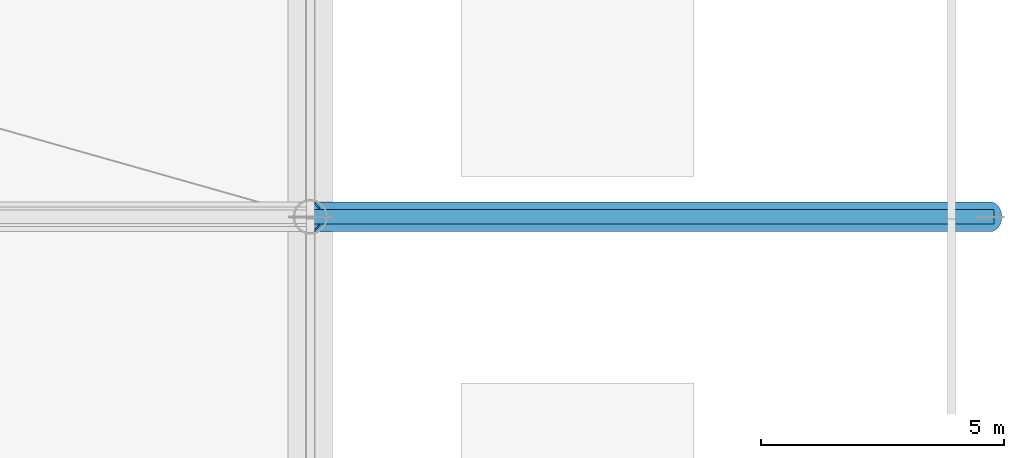
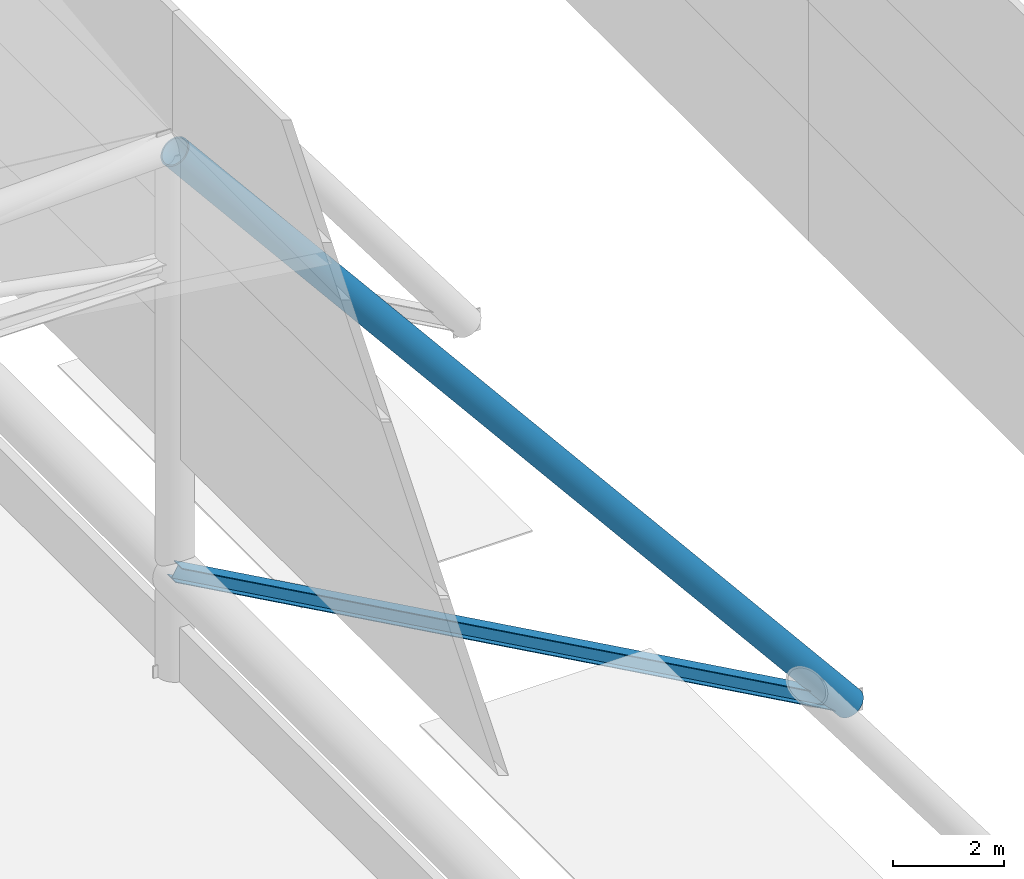
# One storey, part 44 of 113: 2 members.
"""IFC4 building model written with IfcOpenShell, lengths in metres."""

from ifc_helpers import new_model, si_unit, direction, frame, origin, origin_2d, place, context, subcontext, project, spatial, hollow_circle, i_section, extrude, material, material_profile, profile_set, type_object, element, save


model = new_model("IFC4")

# Units and contexts
model_context = context("Model", 3, precision=1e-05, world=origin(), true_north=direction((0.0, 1.0)))
body_context = subcontext(model_context, "Body", "Model", "MODEL_VIEW")
ifc_project = project(units=[si_unit("LENGTHUNIT", "METRE"), si_unit("AREAUNIT", "SQUARE_METRE"), si_unit("VOLUMEUNIT", "CUBIC_METRE"), si_unit("PLANEANGLEUNIT", "RADIAN"), si_unit("MASSUNIT", "GRAM", prefix="KILO")], contexts=[model_context])

# Site, building, storey
site_placement = place(None, origin())
site = spatial("IfcSite", under=ifc_project, at=site_placement, CompositionType="ELEMENT")
building_placement = place(site_placement, origin())
building = spatial("IfcBuilding", under=site, at=building_placement, Name="Linyun Crest Stadium", CompositionType="ELEMENT")
storey_placement = place(building_placement, frame((0.0, 0.0, 26.39990234375)))
storey = spatial("IfcBuildingStorey", under=building, at=storey_placement, Name="L06", CompositionType="ELEMENT", Elevation=26.39990234375)

# Members
ifc_material_1 = material(Name="Steel Q420C", Category="steel")
ifc_material_profile_1 = material_profile(ifc_material_1, hollow_circle(Radius=0.304931640625, WallThickness=0.030029296875, at=origin_2d()), Name="CHS 610x30")
ifc_profile_set_1 = profile_set([ifc_material_profile_1], Name="Steel Q420C")
member_type_1 = type_object("IfcMemberType", Name="TC02", PredefinedType="CHORD", material=ifc_profile_set_1)
member_1_placement = place(storey_placement, frame((84.0, -11.625, 11.400146484375), z_axis=(0.635707252861, 0.0, -0.771930235617), x_axis=(0.0, 1.0, 0.0)))
element("IfcMember", 1, at=member_1_placement, inside=storey, type_object=member_type_1, Name="Roof truss back-stay chord TC02 V2 238", PredefinedType="CHORD", context=body_context, shape_type="SweptSolid", body=[
    extrude(hollow_circle(Radius=0.304931640625, WallThickness=0.030029296875, at=origin_2d()), origin(), (0.0, 0.0, 1.0), 22.022705078125),
])
ifc_material_2 = material(Name="Steel Q355C", Category="steel")
ifc_material_profile_2 = material_profile(ifc_material_2, i_section(OverallWidth=0.300048828125, OverallDepth=0.300048828125, WebThickness=0.010009765625, FlangeThickness=0.014892578125, at=origin_2d()), Name="HW 300x300")
ifc_profile_set_2 = profile_set([ifc_material_profile_2], Name="Steel Q355C")
member_type_2 = type_object("IfcMemberType", Name="TC03", PredefinedType="CHORD", material=ifc_profile_set_2)
member_2_placement = place(storey_placement, frame((84.0, -11.625, 2.18505859375), z_axis=(0.873968137748, 0.0, -0.485983224197), x_axis=(0.0, 1.0, 0.0)))
element("IfcMember", 2, at=member_2_placement, inside=storey, type_object=member_type_2, Name="Roof truss lower back-span chord TC03 V2 239", PredefinedType="CHORD", context=body_context, shape_type="SweptSolid", body=[
    extrude(i_section(OverallWidth=0.300048828125, OverallDepth=0.300048828125, WebThickness=0.010009765625, FlangeThickness=0.014892578125, at=origin_2d()), origin(), (0.0, 0.0, 1.0), 16.018798828125),
])

save(model, "model.ifc")
